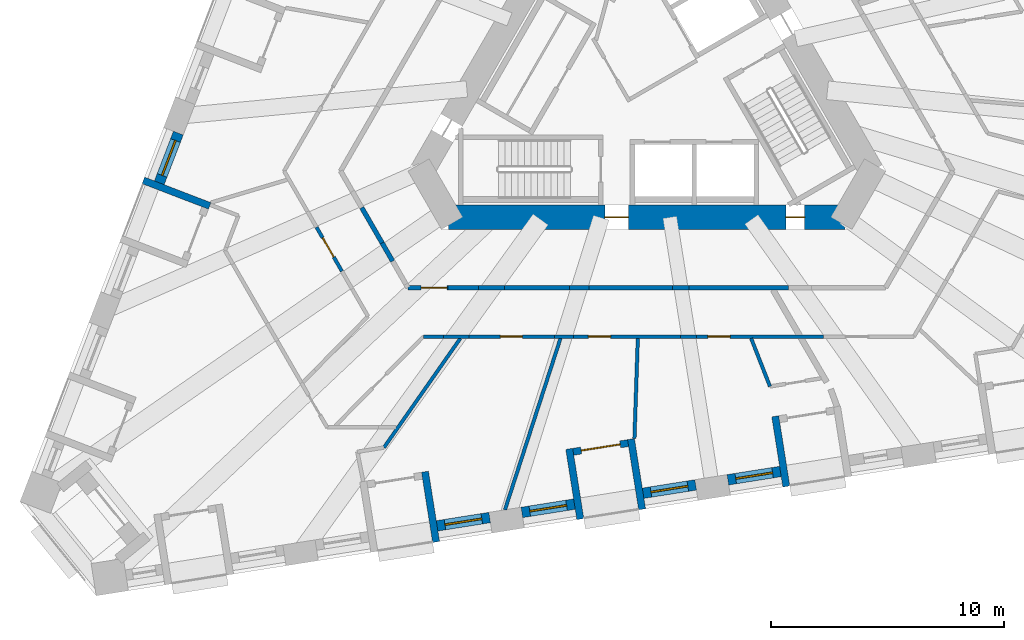
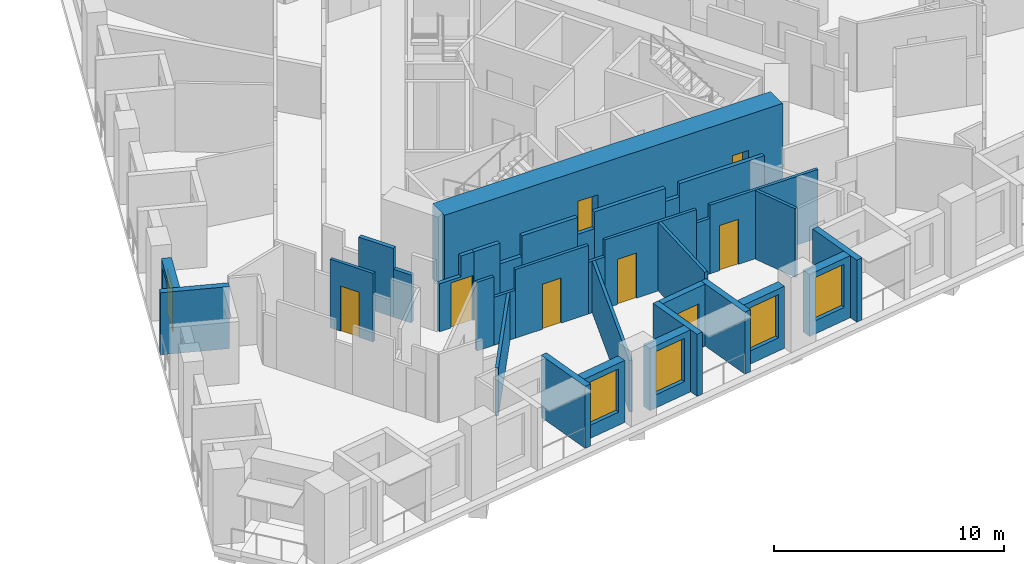
# One storey, part 3 of 14: 34 walls, 8 doors, 5 windows, 13 openings.
"""IFC4 building model written with IfcOpenShell, lengths in metres."""

from ifc_helpers import new_model, si_unit, direction, frame, frame_2d, origin, place, context, subcontext, project, spatial, polyline, rectangle, outline, extrude, material, layer, layer_set, type_object, element, fill, save


model = new_model("IFC4")

# Units and contexts
model_context = context("Model", 3, precision=1e-05, world=origin(), true_north=direction((0.0, 1.0)))
body_context = subcontext(model_context, "Body", "Model", "MODEL_VIEW")
ifc_project = project(units=[si_unit("LENGTHUNIT", "METRE"), si_unit("AREAUNIT", "SQUARE_METRE"), si_unit("VOLUMEUNIT", "CUBIC_METRE"), si_unit("PLANEANGLEUNIT", "RADIAN"), si_unit("MASSUNIT", "GRAM", prefix="KILO")], contexts=[model_context])

# Site, building, storey
site_placement = place(None, origin())
site = spatial("IfcSite", under=ifc_project, at=site_placement, CompositionType="ELEMENT")
building_placement = place(site_placement, origin())
building = spatial("IfcBuilding", under=site, at=building_placement, Name="Tramontana Tower", CompositionType="ELEMENT")
storey_placement = place(building_placement, frame((0.0, 0.0, 75.199951171875)))
storey = spatial("IfcBuildingStorey", under=building, at=storey_placement, Name="L16", CompositionType="ELEMENT", Elevation=75.199951171875)

# Wall, openings, doors
ifc_material_1 = material(Name="Concrete 70 MPa", Category="concrete")
ifc_layer_1 = layer(ifc_material_1, 1.050048828125)
ifc_layer_set_1 = layer_set([ifc_layer_1], Name="Core wall 1050 70 MPa")
wall_type_1 = type_object("IfcWallType", Name="Core wall 1050 70 MPa", PredefinedType="SHEAR", material=ifc_layer_set_1)
wall_1_placement = place(storey_placement, frame((-8.50146484375, -6.22509765625, 0.0), z_axis=(0.0, 0.0, 1.0), x_axis=(1.0, 0.0, 0.0)))
wall_1 = element("IfcWall", 1, at=wall_1_placement, inside=storey, type_object=wall_type_1, Name="Core wall C3 L16", PredefinedType="SHEAR", context=body_context, shape_type="SweptSolid", body=[
    extrude(rectangle(XDim=17.0029296875, YDim=1.050048828125, at=frame_2d((8.50146484375, 0.0))), origin(), (0.0, 0.0, 1.0), 4.0),
])
opening_1_placement = place(wall_1_placement, frame((6.70654296875, 0.0, 0.0)))
opening_1 = element("IfcOpeningElement", 2, at=opening_1_placement, cuts=wall_1, Name="Opening RG2", PredefinedType="OPENING", context=body_context, shape_type="SweptSolid", body=[
    extrude(rectangle(XDim=1.0, YDim=2.39990234375, at=frame_2d((0.5, 1.199951171875))), frame((0.0, 0.534912109375, 0.0), z_axis=(0.0, -1.0, 0.0), x_axis=(1.0, 0.0, 0.0)), (0.0, 0.0, 1.0), 1.070068359375),
])
opening_2_placement = place(wall_1_placement, frame((14.472412109375, 0.0, 0.0)))
opening_2 = element("IfcOpeningElement", 3, at=opening_2_placement, cuts=wall_1, Name="Opening PD2", PredefinedType="OPENING", context=body_context, shape_type="SweptSolid", body=[
    extrude(rectangle(XDim=0.800048828125, YDim=2.10009765625, at=frame_2d((0.39990234375, 1.050048828125))), frame((0.0, 0.534912109375, 0.0), z_axis=(0.0, -1.0, 0.0), x_axis=(1.0, 0.0, 0.0)), (0.0, 0.0, 1.0), 1.070068359375),
])
ifc_material_2 = material(Name="Painted steel", Category="steel")
door_type_1 = type_object("IfcDoorType", Name="CUPBOARD DOOR 800", OperationType="SINGLE_SWING_LEFT", PredefinedType="DOOR", material=ifc_material_2)
door_1_placement = place(opening_2_placement, origin())
door_1 = element("IfcDoor", 4, at=door_1_placement, inside=storey, type_object=door_type_1, Name="Door PD2", OperationType="SINGLE_SWING_RIGHT", OverallHeight=2.10009765625, OverallWidth=0.800048828125, PredefinedType="DOOR", context=body_context, shape_type="SweptSolid", body=[
    extrude(rectangle(XDim=0.800048828125, YDim=2.10009765625, at=frame_2d((0.39990234375, 1.050048828125))), frame((0.0, 0.02490234375, 0.0), z_axis=(0.0, -1.0, 0.0), x_axis=(1.0, 0.0, 0.0)), (0.0, 0.0, 1.0), 0.050048828125),
])
fill(opening_2, door_1)
ifc_material_3 = material(Name="Painted steel", Category="steel")
door_type_2 = type_object("IfcDoorType", Name="RING DOOR 1000", OperationType="SINGLE_SWING_LEFT", PredefinedType="DOOR", material=ifc_material_3)
door_2_placement = place(opening_1_placement, origin())
door_2 = element("IfcDoor", 5, at=door_2_placement, inside=storey, type_object=door_type_2, Name="Door RG2", OperationType="SINGLE_SWING_LEFT", OverallHeight=2.39990234375, OverallWidth=1.0, PredefinedType="DOOR", context=body_context, shape_type="SweptSolid", body=[
    extrude(rectangle(XDim=1.0, YDim=2.39990234375, at=frame_2d((0.5, 1.199951171875))), frame((0.0, 0.02490234375, 0.0), z_axis=(0.0, -1.0, 0.0), x_axis=(1.0, 0.0, 0.0)), (0.0, 0.0, 1.0), 0.050048828125),
])
fill(opening_1, door_2)

# Walls
ifc_material_4 = material(Name="Blockwork", Category="masonry")
ifc_layer_2 = layer(ifc_material_4, 0.199951171875)
ifc_layer_set_2 = layer_set([ifc_layer_2], Name="ENTRY WALL 200")
wall_type_2 = type_object("IfcWallType", Name="ENTRY WALL 200", PredefinedType="SOLIDWALL", material=ifc_layer_set_2)
wall_2_placement = place(storey_placement, frame((6.076171875, -9.25, 0.0), z_axis=(0.0, 0.0, 1.0), x_axis=(-1.0, 0.0, 0.0)))
element("IfcWall", 6, at=wall_2_placement, inside=storey, type_object=wall_type_2, Name="Wall v12-ew2-2", PredefinedType="SOLIDWALL", context=body_context, shape_type="SweptSolid", body=[
    extrude(rectangle(XDim=4.2568359375, YDim=0.199951171875, at=frame_2d((2.12841796875, 0.0))), origin(), (0.0, 0.0, 1.0), 3.650146484375),
])
wall_3_placement = place(storey_placement, frame((1.8193359375, -9.25, 0.0), z_axis=(0.0, 0.0, 1.0), x_axis=(-1.0, 0.0, 0.0)))
element("IfcWall", 7, at=wall_3_placement, inside=storey, type_object=wall_type_2, Name="Wall v12-ew2-3", PredefinedType="SOLIDWALL", context=body_context, shape_type="SweptSolid", body=[
    extrude(rectangle(XDim=0.708740234375, YDim=0.199951171875, at=frame_2d((0.3544921875, 0.0))), origin(), (0.0, 0.0, 1.0), 2.949951171875),
])
wall_4_placement = place(storey_placement, frame((1.110595703125, -9.25, 0.0), z_axis=(0.0, 0.0, 1.0), x_axis=(-1.0, 0.0, 0.0)))
element("IfcWall", 8, at=wall_4_placement, inside=storey, type_object=wall_type_2, Name="Wall v12-ew2-4", PredefinedType="SOLIDWALL", context=body_context, shape_type="SweptSolid", body=[
    extrude(rectangle(XDim=3.585205078125, YDim=0.199951171875, at=frame_2d((1.79248046875, 0.0))), origin(), (0.0, 0.0, 1.0), 3.650146484375),
])
wall_5_placement = place(storey_placement, frame((-2.474609375, -9.25, 0.0), z_axis=(0.0, 0.0, 1.0), x_axis=(-1.0, 0.0, 0.0)))
element("IfcWall", 9, at=wall_5_placement, inside=storey, type_object=wall_type_2, Name="Wall v12-ew2-5", PredefinedType="SOLIDWALL", context=body_context, shape_type="SweptSolid", body=[
    extrude(rectangle(XDim=0.838134765625, YDim=0.199951171875, at=frame_2d((0.4189453125, 0.0))), origin(), (0.0, 0.0, 1.0), 2.75),
])
wall_6_placement = place(storey_placement, frame((-3.312744140625, -9.25, 0.0), z_axis=(0.0, 0.0, 1.0), x_axis=(-1.0, 0.0, 0.0)))
element("IfcWall", 10, at=wall_6_placement, inside=storey, type_object=wall_type_2, Name="Wall v12-ew2-6", PredefinedType="SOLIDWALL", context=body_context, shape_type="SweptSolid", body=[
    extrude(rectangle(XDim=2.793701171875, YDim=0.199951171875, at=frame_2d((1.39697265625, 0.0))), origin(), (0.0, 0.0, 1.0), 3.650146484375),
])
wall_7_placement = place(storey_placement, frame((-6.1064453125, -9.25, 0.0), z_axis=(0.0, 0.0, 1.0), x_axis=(-1.0, 0.0, 0.0)))
element("IfcWall", 11, at=wall_7_placement, inside=storey, type_object=wall_type_2, Name="Wall v12-ew2-7", PredefinedType="SOLIDWALL", context=body_context, shape_type="SweptSolid", body=[
    extrude(rectangle(XDim=1.10888671875, YDim=0.199951171875, at=frame_2d((0.554443359375, 0.0))), origin(), (0.0, 0.0, 1.0), 2.550048828125),
])
wall_8_placement = place(storey_placement, frame((-7.21533203125, -9.25, 0.0), z_axis=(0.0, 0.0, 1.0), x_axis=(-1.0, 0.0, 0.0)))
element("IfcWall", 12, at=wall_8_placement, inside=storey, type_object=wall_type_2, Name="Wall v12-ew2-8", PredefinedType="SOLIDWALL", context=body_context, shape_type="SweptSolid", body=[
    extrude(rectangle(XDim=1.3125, YDim=0.199951171875, at=frame_2d((0.65625, 0.0))), origin(), (0.0, 0.0, 1.0), 3.650146484375),
])

# Wall, opening, door
wall_9_placement = place(storey_placement, frame((-10.248046875, -9.25, 0.0), z_axis=(0.0, 0.0, 1.0), x_axis=(1.0, 0.0, 0.0)))
wall_9 = element("IfcWall", 13, at=wall_9_placement, inside=storey, type_object=wall_type_2, Name="Wall v12-ew2-9", PredefinedType="SOLIDWALL", context=body_context, shape_type="SweptSolid", body=[
    extrude(outline(polyline([(0.0, 0.0), (1.72021484375, 0.0), (1.72021484375, 3.650146484375), (1.0703125, 3.650146484375), (1.0703125, 2.550048828125), (0.0, 2.550048828125), (0.0, 0.0)])), frame((0.0, 0.10009765625, 0.0), z_axis=(0.0, -1.0, 0.0), x_axis=(1.0, 0.0, 0.0)), (0.0, 0.0, 1.0), 0.199951171875),
])
opening_3_placement = place(wall_9_placement, frame((0.570068359375, 0.0, 0.0)))
opening_3 = element("IfcOpeningElement", 14, at=opening_3_placement, cuts=wall_9, Name="Opening B1C-25", PredefinedType="OPENING", context=body_context, shape_type="SweptSolid", body=[
    extrude(rectangle(XDim=1.10009765625, YDim=2.39990234375, at=frame_2d((0.550048828125, 1.199951171875))), frame((0.0, 0.10986328125, 0.0), z_axis=(0.0, -1.0, 0.0), x_axis=(1.0, 0.0, 0.0)), (0.0, 0.0, 1.0), 0.219970703125),
])
ifc_material_5 = material(Name="Painted timber", Category="wood")
door_type_3 = type_object("IfcDoorType", Name="DOOR ENTRY 1100", OperationType="SINGLE_SWING_LEFT", PredefinedType="DOOR", material=ifc_material_5)
door_3_placement = place(opening_3_placement, origin())
door_3 = element("IfcDoor", 15, at=door_3_placement, inside=storey, type_object=door_type_3, Name="Door B1C-25", OperationType="SINGLE_SWING_LEFT", OverallHeight=2.39990234375, OverallWidth=1.10009765625, PredefinedType="DOOR", context=body_context, shape_type="SweptSolid", body=[
    extrude(rectangle(XDim=1.10009765625, YDim=2.39990234375, at=frame_2d((0.550048828125, 1.199951171875))), frame((0.0, 0.02490234375, 0.0), z_axis=(0.0, -1.0, 0.0), x_axis=(1.0, 0.0, 0.0)), (0.0, 0.0, 1.0), 0.050048828125),
])
fill(opening_3, door_3)

# Walls
wall_10_placement = place(storey_placement, frame((-10.904296875, -8.11328125, 0.0), z_axis=(0.0, 0.0, 1.0), x_axis=(-0.499948710669, 0.866055013668, 0.0)))
element("IfcWall", 16, at=wall_10_placement, inside=storey, type_object=wall_type_2, Name="Wall v12-ew3-2", PredefinedType="SOLIDWALL", context=body_context, shape_type="SweptSolid", body=[
    extrude(rectangle(XDim=0.90283203125, YDim=0.199951171875, at=frame_2d((0.451416015625, 0.0))), origin(), (0.0, 0.0, 1.0), 2.550048828125),
])
wall_11_placement = place(storey_placement, frame((-11.355712890625, -7.331298828125, 0.0), z_axis=(0.0, 0.0, 1.0), x_axis=(-0.50000494408, 0.866022549299, 0.0)))
element("IfcWall", 17, at=wall_11_placement, inside=storey, type_object=wall_type_2, Name="Wall v12-ew3-3", PredefinedType="SOLIDWALL", context=body_context, shape_type="SweptSolid", body=[
    extrude(rectangle(XDim=1.74560546875, YDim=0.199951171875, at=frame_2d((0.872802734375, 0.0))), origin(), (0.0, 0.0, 1.0), 3.650146484375),
])

# Wall, opening, window
ifc_material_6 = material(Name="Precast concrete 60 MPa", Category="concrete")
ifc_layer_3 = layer(ifc_material_6, 0.449951171875)
ifc_layer_set_3 = layer_set([ifc_layer_3], Name="Precast concrete 60 MPa, 450 mm")
wall_type_3 = type_object("IfcWallType", Name="EW1 Stone-faced precast wall 450", PredefinedType="SOLIDWALL", material=ifc_layer_set_3)
wall_12_placement = place(storey_placement, frame((-20.098876953125, -2.6201171875, 0.0), z_axis=(0.0, 0.0, 1.0), x_axis=(-0.358355550725, -0.933585185864, 0.0)))
wall_12 = element("IfcWall", 18, at=wall_12_placement, inside=storey, type_object=wall_type_3, Name="External wall L16 face 0 bay 5", PredefinedType="SOLIDWALL", context=body_context, shape_type="SweptSolid", body=[
    extrude(rectangle(XDim=2.282958984375, YDim=0.449951171875, at=frame_2d((1.1416015625, 0.0))), origin(), (0.0, 0.0, 1.0), 3.300048828125),
])
opening_4_placement = place(wall_12_placement, frame((0.341552734375, 0.0, 0.699951171875)))
opening_4 = element("IfcOpeningElement", 19, at=opening_4_placement, cuts=wall_12, Name="Opening M1", PredefinedType="OPENING", context=body_context, shape_type="SweptSolid", body=[
    extrude(rectangle(XDim=1.60009765625, YDim=2.300048828125, at=frame_2d((0.800048828125, 1.14990234375))), frame((0.0, 0.23486328125, 0.0), z_axis=(0.0, -1.0, 0.0), x_axis=(1.0, 0.0, 0.0)), (0.0, 0.0, 1.0), 0.469970703125),
])
ifc_material_7 = material(Name="Aluminum frame, double glazing unit", Category="aluminium")
window_type = type_object("IfcWindowType", Name="M1 Window 1.6 x 2.3", PartitioningType="SINGLE_PANEL", PredefinedType="WINDOW", material=ifc_material_7)
window_1_placement = place(opening_4_placement, origin())
window_1 = element("IfcWindow", 20, at=window_1_placement, inside=storey, type_object=window_type, Name="Window M1 L16 face 0 module 13", OverallHeight=2.300048828125, OverallWidth=1.60009765625, PartitioningType="SINGLE_PANEL", PredefinedType="WINDOW", context=body_context, shape_type="SweptSolid", body=[
    extrude(rectangle(XDim=1.60009765625, YDim=2.300048828125, at=frame_2d((0.800048828125, 1.14990234375))), frame((0.0, 0.030029296875, 0.0), z_axis=(0.0, -1.0, 0.0), x_axis=(1.0, 0.0, 0.0)), (0.0, 0.0, 1.0), 0.06005859375),
])
fill(opening_4, window_1)

wall_13_placement = place(storey_placement, frame((-8.99658203125, -19.47216796875, 0.0), z_axis=(0.0, 0.0, 1.0), x_axis=(0.987685675151, 0.156451293065, 0.0)))
wall_13 = element("IfcWall", 21, at=wall_13_placement, inside=storey, type_object=wall_type_3, Name="External wall L16 face 1 bay 2", PredefinedType="SOLIDWALL", context=body_context, shape_type="SweptSolid", body=[
    extrude(rectangle(XDim=2.282958984375, YDim=0.449951171875, at=frame_2d((1.1416015625, 0.0))), origin(), (0.0, 0.0, 1.0), 3.300048828125),
])
opening_5_placement = place(wall_13_placement, frame((0.341552734375, 0.0, 0.699951171875)))
opening_5 = element("IfcOpeningElement", 22, at=opening_5_placement, cuts=wall_13, Name="Opening M1", PredefinedType="OPENING", context=body_context, shape_type="SweptSolid", body=[
    extrude(rectangle(XDim=1.60009765625, YDim=2.300048828125, at=frame_2d((0.800048828125, 1.14990234375))), frame((0.0, 0.23486328125, 0.0), z_axis=(0.0, -1.0, 0.0), x_axis=(1.0, 0.0, 0.0)), (0.0, 0.0, 1.0), 0.469970703125),
])
window_2_placement = place(opening_5_placement, origin())
window_2 = element("IfcWindow", 23, at=window_2_placement, inside=storey, type_object=window_type, Name="Window M1 L16 face 1 module 6", OverallHeight=2.300048828125, OverallWidth=1.60009765625, PartitioningType="SINGLE_PANEL", PredefinedType="WINDOW", context=body_context, shape_type="SweptSolid", body=[
    extrude(rectangle(XDim=1.60009765625, YDim=2.300048828125, at=frame_2d((0.800048828125, 1.14990234375))), frame((0.0, 0.030029296875, 0.0), z_axis=(0.0, -1.0, 0.0), x_axis=(1.0, 0.0, 0.0)), (0.0, 0.0, 1.0), 0.06005859375),
])
fill(opening_5, window_2)

wall_14_placement = place(storey_placement, frame((-5.35888671875, -18.89599609375, 0.0), z_axis=(0.0, 0.0, 1.0), x_axis=(0.987685675151, 0.156451293065, 0.0)))
wall_14 = element("IfcWall", 24, at=wall_14_placement, inside=storey, type_object=wall_type_3, Name="External wall L16 face 1 bay 3", PredefinedType="SOLIDWALL", context=body_context, shape_type="SweptSolid", body=[
    extrude(rectangle(XDim=2.282958984375, YDim=0.449951171875, at=frame_2d((1.1416015625, 0.0))), origin(), (0.0, 0.0, 1.0), 3.300048828125),
])
opening_6_placement = place(wall_14_placement, frame((0.341552734375, 0.0, 0.699951171875)))
opening_6 = element("IfcOpeningElement", 25, at=opening_6_placement, cuts=wall_14, Name="Opening M1", PredefinedType="OPENING", context=body_context, shape_type="SweptSolid", body=[
    extrude(rectangle(XDim=1.60009765625, YDim=2.300048828125, at=frame_2d((0.800048828125, 1.14990234375))), frame((0.0, 0.23486328125, 0.0), z_axis=(0.0, -1.0, 0.0), x_axis=(1.0, 0.0, 0.0)), (0.0, 0.0, 1.0), 0.469970703125),
])
window_3_placement = place(opening_6_placement, origin())
window_3 = element("IfcWindow", 26, at=window_3_placement, inside=storey, type_object=window_type, Name="Window M1 L16 face 1 module 7", OverallHeight=2.300048828125, OverallWidth=1.60009765625, PartitioningType="SINGLE_PANEL", PredefinedType="WINDOW", context=body_context, shape_type="SweptSolid", body=[
    extrude(rectangle(XDim=1.60009765625, YDim=2.300048828125, at=frame_2d((0.800048828125, 1.14990234375))), frame((0.0, 0.030029296875, 0.0), z_axis=(0.0, -1.0, 0.0), x_axis=(1.0, 0.0, 0.0)), (0.0, 0.0, 1.0), 0.06005859375),
])
fill(opening_6, window_3)

wall_15_placement = place(storey_placement, frame((-0.15771484375, -18.072265625, 0.0), z_axis=(0.0, 0.0, 1.0), x_axis=(0.987685675151, 0.156451293065, 0.0)))
wall_15 = element("IfcWall", 27, at=wall_15_placement, inside=storey, type_object=wall_type_3, Name="External wall L16 face 1 bay 3", PredefinedType="SOLIDWALL", context=body_context, shape_type="SweptSolid", body=[
    extrude(rectangle(XDim=2.282958984375, YDim=0.449951171875, at=frame_2d((1.1416015625, 0.0))), origin(), (0.0, 0.0, 1.0), 3.300048828125),
])
opening_7_placement = place(wall_15_placement, frame((0.341552734375, 0.0, 0.699951171875)))
opening_7 = element("IfcOpeningElement", 28, at=opening_7_placement, cuts=wall_15, Name="Opening M1", PredefinedType="OPENING", context=body_context, shape_type="SweptSolid", body=[
    extrude(rectangle(XDim=1.60009765625, YDim=2.300048828125, at=frame_2d((0.800048828125, 1.14990234375))), frame((0.0, 0.23486328125, 0.0), z_axis=(0.0, -1.0, 0.0), x_axis=(1.0, 0.0, 0.0)), (0.0, 0.0, 1.0), 0.469970703125),
])
window_4_placement = place(opening_7_placement, origin())
window_4 = element("IfcWindow", 29, at=window_4_placement, inside=storey, type_object=window_type, Name="Window M1 L16 face 1 module 9", OverallHeight=2.300048828125, OverallWidth=1.60009765625, PartitioningType="SINGLE_PANEL", PredefinedType="WINDOW", context=body_context, shape_type="SweptSolid", body=[
    extrude(rectangle(XDim=1.60009765625, YDim=2.300048828125, at=frame_2d((0.800048828125, 1.14990234375))), frame((0.0, 0.030029296875, 0.0), z_axis=(0.0, -1.0, 0.0), x_axis=(1.0, 0.0, 0.0)), (0.0, 0.0, 1.0), 0.06005859375),
])
fill(opening_7, window_4)

wall_16_placement = place(storey_placement, frame((3.479736328125, -17.49609375, 0.0), z_axis=(0.0, 0.0, 1.0), x_axis=(0.987685675151, 0.156451293065, 0.0)))
wall_16 = element("IfcWall", 30, at=wall_16_placement, inside=storey, type_object=wall_type_3, Name="External wall L16 face 1 bay 4", PredefinedType="SOLIDWALL", context=body_context, shape_type="SweptSolid", body=[
    extrude(rectangle(XDim=2.282958984375, YDim=0.449951171875, at=frame_2d((1.1416015625, 0.0))), origin(), (0.0, 0.0, 1.0), 3.300048828125),
])
opening_8_placement = place(wall_16_placement, frame((0.341552734375, 0.0, 0.699951171875)))
opening_8 = element("IfcOpeningElement", 31, at=opening_8_placement, cuts=wall_16, Name="Opening M1", PredefinedType="OPENING", context=body_context, shape_type="SweptSolid", body=[
    extrude(rectangle(XDim=1.60009765625, YDim=2.300048828125, at=frame_2d((0.800048828125, 1.14990234375))), frame((0.0, 0.23486328125, 0.0), z_axis=(0.0, -1.0, 0.0), x_axis=(1.0, 0.0, 0.0)), (0.0, 0.0, 1.0), 0.469970703125),
])
window_5_placement = place(opening_8_placement, origin())
window_5 = element("IfcWindow", 32, at=window_5_placement, inside=storey, type_object=window_type, Name="Window M1 L16 face 1 module 10", OverallHeight=2.300048828125, OverallWidth=1.60009765625, PartitioningType="SINGLE_PANEL", PredefinedType="WINDOW", context=body_context, shape_type="SweptSolid", body=[
    extrude(rectangle(XDim=1.60009765625, YDim=2.300048828125, at=frame_2d((0.800048828125, 1.14990234375))), frame((0.0, 0.030029296875, 0.0), z_axis=(0.0, -1.0, 0.0), x_axis=(1.0, 0.0, 0.0)), (0.0, 0.0, 1.0), 0.06005859375),
])
fill(opening_8, window_5)

# Walls
ifc_material_8 = material(Name="Precast concrete 60 MPa", Category="concrete")
ifc_layer_4 = layer(ifc_material_8, 0.300048828125)
ifc_layer_set_4 = layer_set([ifc_layer_4], Name="LW1 Stone-faced loggia wall 300")
wall_type_4 = type_object("IfcWallType", Name="LW1 Stone-faced loggia wall 300", PredefinedType="SOLIDWALL", material=ifc_layer_set_4)
for number, where, z_axis, x_axis, name in (
    (33, (-21.60107421875, -4.649658203125, 0.0), (0.0, 0.0, 1.0), (0.933580593625, -0.358367514161, 0.0), "Loggia return L16 G1S0.13a"),
    (34, (-9.0390625, -20.162353515625, 0.0), (0.0, 0.0, 1.0), (-0.156488687365, 0.987679751097, 0.0), "Loggia return L16 G1S1.4b"),
):
    element("IfcWall", number, at=place(storey_placement, frame(where, z_axis=z_axis, x_axis=x_axis)), inside=storey, type_object=wall_type_4, Name=name, PredefinedType="SOLIDWALL", context=body_context, shape_type="SweptSolid", body=[
        extrude(rectangle(XDim=3.050048828125, YDim=0.300048828125, at=frame_2d((1.52490234375, 0.0))), origin(), (0.0, 0.0, 1.0), 3.300048828125),
    ])

# Wall, opening, door
wall_17_placement = place(storey_placement, frame((-3.15576171875, -16.294189453125, 0.0), z_axis=(0.0, 0.0, 1.0), x_axis=(0.987685586014, 0.156451855793, 0.0)))
wall_17 = element("IfcWall", 35, at=wall_17_placement, inside=storey, type_object=wall_type_4, Name="Loggia wall L16 G1S1.7", PredefinedType="SOLIDWALL", context=body_context, shape_type="SweptSolid", body=[
    extrude(rectangle(XDim=2.3828125, YDim=0.300048828125, at=frame_2d((1.19140625, 0.0))), origin(), (0.0, 0.0, 1.0), 3.300048828125),
])
opening_9_placement = place(wall_17_placement, frame((0.341552734375, 0.0, 0.0)))
opening_9 = element("IfcOpeningElement", 36, at=opening_9_placement, cuts=wall_17, Name="Opening BD-1S1-07", PredefinedType="OPENING", context=body_context, shape_type="SweptSolid", body=[
    extrude(rectangle(XDim=1.699951171875, YDim=2.39990234375, at=frame_2d((0.85009765625, 1.199951171875))), frame((0.0, 0.159912109375, 0.0), z_axis=(0.0, -1.0, 0.0), x_axis=(1.0, 0.0, 0.0)), (0.0, 0.0, 1.0), 0.320068359375),
])
ifc_material_9 = material(Name="Aluminum frame, double glazing unit", Category="aluminium")
door_type_4 = type_object("IfcDoorType", Name="BD1 Sliding door 1.7 x 2.4", OperationType="SLIDING_TO_LEFT", PredefinedType="DOOR", material=ifc_material_9)
door_4_placement = place(opening_9_placement, origin())
door_4 = element("IfcDoor", 37, at=door_4_placement, inside=storey, type_object=door_type_4, Name="Loggia door L16 G1S1.7", OperationType="SLIDING_TO_LEFT", OverallHeight=2.39990234375, OverallWidth=1.699951171875, PredefinedType="DOOR", context=body_context, shape_type="SweptSolid", body=[
    extrude(rectangle(XDim=1.699951171875, YDim=2.39990234375, at=frame_2d((0.85009765625, 1.199951171875))), frame((0.0, 0.02490234375, 0.0), z_axis=(0.0, -1.0, 0.0), x_axis=(1.0, 0.0, 0.0)), (0.0, 0.0, 1.0), 0.050048828125),
])
fill(opening_9, door_4)

# Walls
for number, where, z_axis, x_axis, name in (
    (38, (-2.850341796875, -19.18212890625, 0.0), (0.0, 0.0, 1.0), (-0.156410600741, 0.987692120033, 0.0), "Loggia return L16 G1S1.7a"),
    (39, (-0.200439453125, -18.762451171875, 0.0), (0.0, 0.0, 1.0), (-0.156410600741, 0.987692120033, 0.0), "Loggia return L16 G1S1.7b"),
    (40, (5.988525390625, -17.7822265625, 0.0), (0.0, 0.0, 1.0), (-0.156488687365, 0.987679751097, 0.0), "Loggia return L16 G1S1.10a"),
):
    element("IfcWall", number, at=place(storey_placement, frame(where, z_axis=z_axis, x_axis=x_axis)), inside=storey, type_object=wall_type_4, Name=name, PredefinedType="SOLIDWALL", context=body_context, shape_type="SweptSolid", body=[
        extrude(rectangle(XDim=3.050048828125, YDim=0.300048828125, at=frame_2d((1.52490234375, 0.0))), origin(), (0.0, 0.0, 1.0), 3.300048828125),
    ])

# Wall, opening, door
ifc_material_10 = material(Name="Gypsum board partition")
ifc_layer_5 = layer(ifc_material_10, 0.14990234375)
ifc_layer_set_5 = layer_set([ifc_layer_5], Name="PARTITION 150")
wall_type_5 = type_object("IfcWallType", Name="PARTITION 150", PredefinedType="PARTITIONING", material=ifc_layer_set_5)
wall_18_placement = place(storey_placement, frame((-13.080810546875, -8.54345703125, 0.0), z_axis=(0.0, 0.0, 1.0), x_axis=(-0.499978335414, 0.866037911478, 0.0)))
wall_18 = element("IfcWall", 41, at=wall_18_placement, inside=storey, type_object=wall_type_5, Name="Wall v12-pw10-2", PredefinedType="PARTITIONING", context=body_context, shape_type="SweptSolid", body=[
    extrude(rectangle(XDim=2.1748046875, YDim=0.14990234375, at=frame_2d((1.08740234375, 0.0))), origin(), (0.0, 0.0, 1.0), 3.650146484375),
])
opening_10_placement = place(wall_18_placement, frame((0.702392578125, 0.0, 0.0)))
opening_10 = element("IfcOpeningElement", 42, at=opening_10_placement, cuts=wall_18, Name="Opening B1C-08", PredefinedType="OPENING", context=body_context, shape_type="SweptSolid", body=[
    extrude(rectangle(XDim=0.949951171875, YDim=2.39990234375, at=frame_2d((0.47509765625, 1.199951171875))), frame((0.0, 0.0849609375, 0.0), z_axis=(0.0, -1.0, 0.0), x_axis=(1.0, 0.0, 0.0)), (0.0, 0.0, 1.0), 0.169921875),
])
ifc_material_11 = material(Name="Painted timber", Category="wood")
door_type_5 = type_object("IfcDoorType", Name="DOOR ROOM 950", OperationType="SINGLE_SWING_LEFT", PredefinedType="DOOR", material=ifc_material_11)
door_5_placement = place(opening_10_placement, origin())
door_5 = element("IfcDoor", 43, at=door_5_placement, inside=storey, type_object=door_type_5, Name="Door B1C-08", OperationType="SINGLE_SWING_RIGHT", OverallHeight=2.39990234375, OverallWidth=0.949951171875, PredefinedType="DOOR", context=body_context, shape_type="SweptSolid", body=[
    extrude(rectangle(XDim=0.949951171875, YDim=2.39990234375, at=frame_2d((0.47509765625, 1.199951171875))), frame((0.0, 0.02490234375, 0.0), z_axis=(0.0, -1.0, 0.0), x_axis=(1.0, 0.0, 0.0)), (0.0, 0.0, 1.0), 0.050048828125),
])
fill(opening_10, door_5)

# Walls
wall_19_placement = place(storey_placement, frame((-7.9970703125, -11.425048828125, 0.0), z_axis=(0.0, 0.0, 1.0), x_axis=(-0.573453752882, -0.819237934489, 0.0)))
element("IfcWall", 44, at=wall_19_placement, inside=storey, type_object=wall_type_5, Name="Wall v12-pw15-0", PredefinedType="PARTITIONING", context=body_context, shape_type="SweptSolid", body=[
    extrude(rectangle(XDim=5.721435546875, YDim=0.14990234375, at=frame_2d((2.86083984375, 0.0))), origin(), (0.0, 0.0, 1.0), 2.550048828125),
])
wall_20_placement = place(storey_placement, frame((-3.70166015625, -11.425048828125, 0.0), z_axis=(0.0, 0.0, 1.0), x_axis=(-0.308195921166, -0.951322907417, 0.0)))
element("IfcWall", 45, at=wall_20_placement, inside=storey, type_object=wall_type_5, Name="Wall v12-pw21-0", PredefinedType="PARTITIONING", context=body_context, shape_type="SweptSolid", body=[
    extrude(rectangle(XDim=7.734619140625, YDim=0.14990234375, at=frame_2d((3.8671875, 0.0))), origin(), (0.0, 0.0, 1.0), 2.75),
])
wall_21_placement = place(storey_placement, frame((-0.384521484375, -11.425048828125, 0.0), z_axis=(0.0, 0.0, 1.0), x_axis=(-0.033639708068, -0.999434024857, 0.0)))
element("IfcWall", 46, at=wall_21_placement, inside=storey, type_object=wall_type_5, Name="Wall v12-pw23", PredefinedType="PARTITIONING", context=body_context, shape_type="SweptSolid", body=[
    extrude(rectangle(XDim=4.3037109375, YDim=0.14990234375, at=frame_2d((2.15185546875, 0.0))), origin(), (0.0, 0.0, 1.0), 3.650146484375),
])
wall_22_placement = place(storey_placement, frame((5.2861328125, -13.48876953125, 0.0), z_axis=(0.0, 0.0, 1.0), x_axis=(-0.364905955497, 0.931044383283, 0.0)))
element("IfcWall", 47, at=wall_22_placement, inside=storey, type_object=wall_type_5, Name="Wall v12-pw28", PredefinedType="PARTITIONING", context=body_context, shape_type="SweptSolid", body=[
    extrude(rectangle(XDim=2.216552734375, YDim=0.14990234375, at=frame_2d((1.1083984375, 0.0))), origin(), (0.0, 0.0, 1.0), 3.650146484375),
])

# Wall, opening, door
wall_23_placement = place(storey_placement, frame((7.582275390625, -11.35009765625, 0.0), z_axis=(0.0, 0.0, 1.0), x_axis=(-1.0, 0.0, 0.0)))
wall_23 = element("IfcWall", 48, at=wall_23_placement, inside=storey, type_object=wall_type_5, Name="Wall v12-pw34-2", PredefinedType="PARTITIONING", context=body_context, shape_type="SweptSolid", body=[
    extrude(rectangle(XDim=5.44287109375, YDim=0.14990234375, at=frame_2d((2.721435546875, 0.0))), origin(), (0.0, 0.0, 1.0), 3.650146484375),
])
opening_11_placement = place(wall_23_placement, frame((4.00830078125, 0.0, 0.0)))
opening_11 = element("IfcOpeningElement", 49, at=opening_11_placement, cuts=wall_23, Name="Opening B1C-16", PredefinedType="OPENING", context=body_context, shape_type="SweptSolid", body=[
    extrude(rectangle(XDim=0.949951171875, YDim=2.39990234375, at=frame_2d((0.47509765625, 1.199951171875))), frame((0.0, 0.0849609375, 0.0), z_axis=(0.0, -1.0, 0.0), x_axis=(1.0, 0.0, 0.0)), (0.0, 0.0, 1.0), 0.169921875),
])
door_6_placement = place(opening_11_placement, origin())
door_6 = element("IfcDoor", 50, at=door_6_placement, inside=storey, type_object=door_type_5, Name="Door B1C-16", OperationType="SINGLE_SWING_RIGHT", OverallHeight=2.39990234375, OverallWidth=0.949951171875, PredefinedType="DOOR", context=body_context, shape_type="SweptSolid", body=[
    extrude(rectangle(XDim=0.949951171875, YDim=2.39990234375, at=frame_2d((0.47509765625, 1.199951171875))), frame((0.0, 0.02490234375, 0.0), z_axis=(0.0, -1.0, 0.0), x_axis=(1.0, 0.0, 0.0)), (0.0, 0.0, 1.0), 0.050048828125),
])
fill(opening_11, door_6)

# Wall
wall_24_placement = place(storey_placement, frame((2.139404296875, -11.35009765625, 0.0), z_axis=(0.0, 0.0, 1.0), x_axis=(-1.0, 0.0, 0.0)))
element("IfcWall", 51, at=wall_24_placement, inside=storey, type_object=wall_type_5, Name="Wall v12-pw34-3", PredefinedType="PARTITIONING", context=body_context, shape_type="SweptSolid", body=[
    extrude(rectangle(XDim=0.683349609375, YDim=0.14990234375, at=frame_2d((0.341796875, 0.0))), origin(), (0.0, 0.0, 1.0), 2.949951171875),
])

# Wall, opening, door
wall_25_placement = place(storey_placement, frame((1.4560546875, -11.35009765625, 0.0), z_axis=(0.0, 0.0, 1.0), x_axis=(-1.0, 0.0, 0.0)))
wall_25 = element("IfcWall", 52, at=wall_25_placement, inside=storey, type_object=wall_type_5, Name="Wall v12-pw34-4", PredefinedType="PARTITIONING", context=body_context, shape_type="SweptSolid", body=[
    extrude(rectangle(XDim=4.600830078125, YDim=0.14990234375, at=frame_2d((2.30029296875, 0.0))), origin(), (0.0, 0.0, 1.0), 3.650146484375),
])
opening_12_placement = place(wall_25_placement, frame((3.0107421875, 0.0, 0.0)))
opening_12 = element("IfcOpeningElement", 53, at=opening_12_placement, cuts=wall_25, Name="Opening B1C-15", PredefinedType="OPENING", context=body_context, shape_type="SweptSolid", body=[
    extrude(rectangle(XDim=0.949951171875, YDim=2.39990234375, at=frame_2d((0.47509765625, 1.199951171875))), frame((0.0, 0.0849609375, 0.0), z_axis=(0.0, -1.0, 0.0), x_axis=(1.0, 0.0, 0.0)), (0.0, 0.0, 1.0), 0.169921875),
])
door_7_placement = place(opening_12_placement, origin())
door_7 = element("IfcDoor", 54, at=door_7_placement, inside=storey, type_object=door_type_5, Name="Door B1C-15", OperationType="SINGLE_SWING_LEFT", OverallHeight=2.39990234375, OverallWidth=0.949951171875, PredefinedType="DOOR", context=body_context, shape_type="SweptSolid", body=[
    extrude(rectangle(XDim=0.949951171875, YDim=2.39990234375, at=frame_2d((0.47509765625, 1.199951171875))), frame((0.0, 0.02490234375, 0.0), z_axis=(0.0, -1.0, 0.0), x_axis=(1.0, 0.0, 0.0)), (0.0, 0.0, 1.0), 0.050048828125),
])
fill(opening_12, door_7)

# Wall
wall_26_placement = place(storey_placement, frame((-3.144775390625, -11.35009765625, 0.0), z_axis=(0.0, 0.0, 1.0), x_axis=(-1.0, 0.0, 0.0)))
element("IfcWall", 55, at=wall_26_placement, inside=storey, type_object=wall_type_5, Name="Wall v12-pw34-5", PredefinedType="PARTITIONING", context=body_context, shape_type="SweptSolid", body=[
    extrude(rectangle(XDim=0.81201171875, YDim=0.14990234375, at=frame_2d((0.406005859375, 0.0))), origin(), (0.0, 0.0, 1.0), 2.75),
])

# Wall, opening, door
wall_27_placement = place(storey_placement, frame((-3.956787109375, -11.35009765625, 0.0), z_axis=(0.0, 0.0, 1.0), x_axis=(-1.0, 0.0, 0.0)))
wall_27 = element("IfcWall", 56, at=wall_27_placement, inside=storey, type_object=wall_type_5, Name="Wall v12-pw34-6", PredefinedType="PARTITIONING", context=body_context, shape_type="SweptSolid", body=[
    extrude(rectangle(XDim=3.67724609375, YDim=0.14990234375, at=frame_2d((1.838623046875, 0.0))), origin(), (0.0, 0.0, 1.0), 3.650146484375),
])
opening_13_placement = place(wall_27_placement, frame((1.37939453125, 0.0, 0.0)))
opening_13 = element("IfcOpeningElement", 57, at=opening_13_placement, cuts=wall_27, Name="Opening B1C-14", PredefinedType="OPENING", context=body_context, shape_type="SweptSolid", body=[
    extrude(rectangle(XDim=0.949951171875, YDim=2.39990234375, at=frame_2d((0.47509765625, 1.199951171875))), frame((0.0, 0.0849609375, 0.0), z_axis=(0.0, -1.0, 0.0), x_axis=(1.0, 0.0, 0.0)), (0.0, 0.0, 1.0), 0.169921875),
])
door_8_placement = place(opening_13_placement, origin())
door_8 = element("IfcDoor", 58, at=door_8_placement, inside=storey, type_object=door_type_5, Name="Door B1C-14", OperationType="SINGLE_SWING_RIGHT", OverallHeight=2.39990234375, OverallWidth=0.949951171875, PredefinedType="DOOR", context=body_context, shape_type="SweptSolid", body=[
    extrude(rectangle(XDim=0.949951171875, YDim=2.39990234375, at=frame_2d((0.47509765625, 1.199951171875))), frame((0.0, 0.02490234375, 0.0), z_axis=(0.0, -1.0, 0.0), x_axis=(1.0, 0.0, 0.0)), (0.0, 0.0, 1.0), 0.050048828125),
])
fill(opening_13, door_8)

# Walls
wall_28_placement = place(storey_placement, frame((-7.634033203125, -11.35009765625, 0.0), z_axis=(0.0, 0.0, 1.0), x_axis=(-1.0, 0.0, 0.0)))
element("IfcWall", 59, at=wall_28_placement, inside=storey, type_object=wall_type_5, Name="Wall v12-pw34-7", PredefinedType="PARTITIONING", context=body_context, shape_type="SweptSolid", body=[
    extrude(rectangle(XDim=1.078125, YDim=0.14990234375, at=frame_2d((0.5390625, 0.0))), origin(), (0.0, 0.0, 1.0), 2.550048828125),
])
wall_29_placement = place(storey_placement, frame((-8.712158203125, -11.35009765625, 0.0), z_axis=(0.0, 0.0, 1.0), x_axis=(-1.0, 0.0, 0.0)))
element("IfcWall", 60, at=wall_29_placement, inside=storey, type_object=wall_type_5, Name="Wall v12-pw34-8", PredefinedType="PARTITIONING", context=body_context, shape_type="SweptSolid", body=[
    extrude(rectangle(XDim=0.872314453125, YDim=0.14990234375, at=frame_2d((0.43603515625, 0.0))), origin(), (0.0, 0.0, 1.0), 3.650146484375),
])

save(model, "model.ifc")
